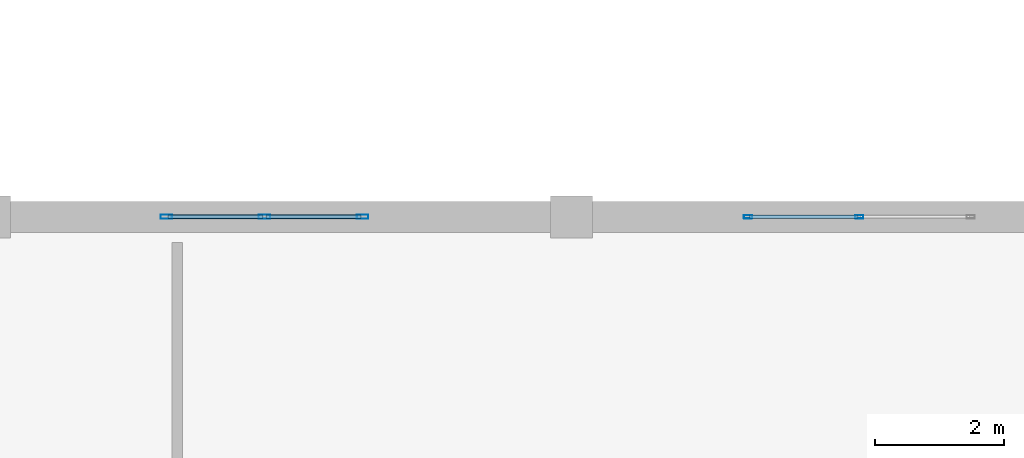
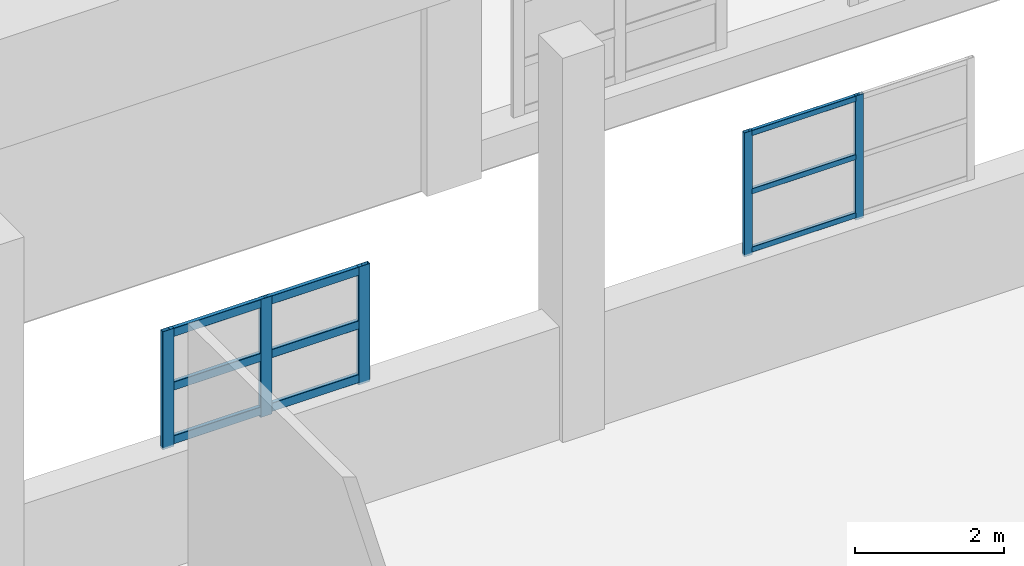
# One storey, part 22 of 197: 14 members, 2 elements without a shape of their own.
"""IFC4 building model written with IfcOpenShell, lengths in metres."""

from ifc_helpers import new_model, si_unit, derived_unit, direction, frame, origin, origin_2d, place, context, subcontext, project, spatial, hollow_rectangle, extrude, material, layer, layer_set, material_profile, profile_set, type_object, element, aggregate, save


model = new_model("IFC4")

# Units and contexts
model_context = context("Model", 3, precision=1e-05, world=origin(), true_north=direction((0.0, 1.0)))
body_context = subcontext(model_context, "Body", "Model", "MODEL_VIEW")
ifc_project = project(units=[si_unit("LENGTHUNIT", "METRE"), si_unit("AREAUNIT", "SQUARE_METRE"), si_unit("VOLUMEUNIT", "CUBIC_METRE"), si_unit("PLANEANGLEUNIT", "RADIAN"), si_unit("MASSUNIT", "GRAM", prefix="KILO"), derived_unit("THERMALTRANSMITTANCEUNIT", [(si_unit("POWERUNIT", "WATT"), 1), (si_unit("LENGTHUNIT", "METRE"), -2), (si_unit("THERMODYNAMICTEMPERATUREUNIT", "KELVIN"), -1)])], contexts=[model_context])

# Site, building, storey
site_placement = place(None, origin())
site = spatial("IfcSite", under=ifc_project, at=site_placement, CompositionType="ELEMENT")
building_placement = place(site_placement, origin())
building = spatial("IfcBuilding", under=site, at=building_placement, Name="Almenara Railside Exhibition Hall", CompositionType="ELEMENT")
storey_placement = place(building_placement, frame((0.0, 0.0, 5.39990234375)))
storey = spatial("IfcBuildingStorey", under=building, at=storey_placement, Name="L01", CompositionType="ELEMENT", Elevation=5.39990234375)

# Curtain wall, members
ifc_material_1 = material(Name="Bronze-anodised aluminium and low-E double glazing", Category="aluminium")
ifc_layer_1 = layer(ifc_material_1, 0.179931640625, Name="Bronze-anodised aluminium and low-E double glazing")
ifc_layer_set_1 = layer_set([ifc_layer_1], Name="Bronze-anodised aluminium and low-E double glazing")
curtain_wall_type_1 = type_object("IfcCurtainWallType", Name="Plenary Clerestory Curtain Wall 3500x2000", PredefinedType="NOTDEFINED", material=ifc_layer_set_1)
curtain_wall_1_placement = place(storey_placement, origin())
curtain_wall_1 = element("IfcCurtainWall", 1, at=curtain_wall_1_placement, inside=storey, type_object=curtain_wall_type_1, Name="Curtain wall CW-CL5-098", PredefinedType="NOTDEFINED")
ifc_material_2 = material(Name="Bronze-anodised aluminium", Category="aluminium")
ifc_material_profile_1 = material_profile(ifc_material_2, hollow_rectangle(XDim=0.054931640625, YDim=0.125, WallThickness=0.0029296875, InnerFilletRadius=0.0029296875, OuterFilletRadius=0.006103515625, at=origin_2d()), Name="ALU-MUL 55x125x3")
ifc_profile_set_1 = profile_set([ifc_material_profile_1], Name="Bronze-anodised aluminium")
member_type_1 = type_object("IfcMemberType", Name="Curtain Wall Mullion 55x125x3", PredefinedType="MULLION", material=ifc_profile_set_1)
member_1_placement = place(storey_placement, frame((23.7275390625, 42.0, 1.815185546875), z_axis=(0.0, 0.0, 1.0), x_axis=(0.0, 1.0, 0.0)))
member_1 = element("IfcMember", 2, at=member_1_placement, type_object=member_type_1, Name="CW-CL5-098 mullion 1", PredefinedType="MULLION", context=body_context, shape_type="SweptSolid", body=[
    extrude(hollow_rectangle(XDim=0.054931640625, YDim=0.125, WallThickness=0.0029296875, InnerFilletRadius=0.0029296875, OuterFilletRadius=0.006103515625, at=origin_2d()), origin(), (0.0, 0.0, 1.0), 2.034912109375),
])
member_2_placement = place(storey_placement, frame((25.449951171875, 42.0, 1.815185546875), z_axis=(0.0, 0.0, 1.0), x_axis=(0.0, 1.0, 0.0)))
member_2 = element("IfcMember", 3, at=member_2_placement, type_object=member_type_1, Name="CW-CL5-098 mullion 2", PredefinedType="MULLION", context=body_context, shape_type="SweptSolid", body=[
    extrude(hollow_rectangle(XDim=0.054931640625, YDim=0.125, WallThickness=0.0029296875, InnerFilletRadius=0.0029296875, OuterFilletRadius=0.006103515625, at=origin_2d()), origin(), (0.0, 0.0, 1.0), 2.034912109375),
])

ifc_layer_2 = layer(ifc_material_1, 0.179931640625, Name="Bronze-anodised aluminium and low-E double glazing")
ifc_layer_set_2 = layer_set([ifc_layer_2], Name="Bronze-anodised aluminium and low-E double glazing")
curtain_wall_type_2 = type_object("IfcCurtainWallType", Name="Plenary Clerestory Curtain Wall 3100x1900", PredefinedType="NOTDEFINED", material=ifc_layer_set_2)
curtain_wall_2_placement = place(storey_placement, origin())
curtain_wall_2 = element("IfcCurtainWall", 4, at=curtain_wall_2_placement, inside=storey, type_object=curtain_wall_type_2, Name="Curtain wall CW-CL6-096", PredefinedType="NOTDEFINED")
ifc_material_profile_2 = material_profile(ifc_material_2, hollow_rectangle(XDim=0.06494140625, YDim=0.179931640625, WallThickness=0.00390625, InnerFilletRadius=0.00390625, OuterFilletRadius=0.008056640625, at=origin_2d()), Name="ALU-MUL 65x180x4")
ifc_profile_set_2 = profile_set([ifc_material_profile_2], Name="Bronze-anodised aluminium")
member_type_2 = type_object("IfcMemberType", Name="Curtain Wall Mullion 65x180x4", PredefinedType="MULLION", material=ifc_profile_set_2)
member_3_placement = place(storey_placement, frame((14.732421875, 42.0, 1.815185546875), z_axis=(0.0, 0.0, 1.0), x_axis=(0.0, 1.0, 0.0)))
member_3 = element("IfcMember", 5, at=member_3_placement, type_object=member_type_2, Name="CW-CL6-096 mullion 1", PredefinedType="MULLION", context=body_context, shape_type="SweptSolid", body=[
    extrude(hollow_rectangle(XDim=0.06494140625, YDim=0.179931640625, WallThickness=0.00390625, InnerFilletRadius=0.00390625, OuterFilletRadius=0.008056640625, at=origin_2d()), origin(), (0.0, 0.0, 1.0), 1.934814453125),
])
member_4_placement = place(storey_placement, frame((16.25, 42.0, 1.815185546875), z_axis=(0.0, 0.0, 1.0), x_axis=(0.0, 1.0, 0.0)))
member_4 = element("IfcMember", 6, at=member_4_placement, type_object=member_type_2, Name="CW-CL6-096 mullion 2", PredefinedType="MULLION", context=body_context, shape_type="SweptSolid", body=[
    extrude(hollow_rectangle(XDim=0.06494140625, YDim=0.179931640625, WallThickness=0.00390625, InnerFilletRadius=0.00390625, OuterFilletRadius=0.008056640625, at=origin_2d()), origin(), (0.0, 0.0, 1.0), 1.934814453125),
])
member_5_placement = place(storey_placement, frame((17.767578125, 42.0, 1.815185546875), z_axis=(0.0, 0.0, 1.0), x_axis=(0.0, 1.0, 0.0)))
member_5 = element("IfcMember", 7, at=member_5_placement, type_object=member_type_2, Name="CW-CL6-096 mullion 3", PredefinedType="MULLION", context=body_context, shape_type="SweptSolid", body=[
    extrude(hollow_rectangle(XDim=0.06494140625, YDim=0.179931640625, WallThickness=0.00390625, InnerFilletRadius=0.00390625, OuterFilletRadius=0.008056640625, at=origin_2d()), origin(), (0.0, 0.0, 1.0), 1.934814453125),
])

# Member
ifc_material_profile_3 = material_profile(ifc_material_2, hollow_rectangle(XDim=0.054931640625, YDim=0.090087890625, WallThickness=0.0029296875, InnerFilletRadius=0.0029296875, OuterFilletRadius=0.006103515625, at=origin_2d()), Name="ALU-TRN 55x90x3")
ifc_profile_set_3 = profile_set([ifc_material_profile_3], Name="Bronze-anodised aluminium")
member_type_3 = type_object("IfcMemberType", Name="Curtain Wall Transom 55x90x3", PredefinedType="USERDEFINED", material=ifc_profile_set_3)
member_6_placement = place(storey_placement, frame((23.7470703125, 42.0, 1.89501953125), z_axis=(1.0, 0.0, 0.0), x_axis=(0.0, 1.0, 0.0)))
member_6 = element("IfcMember", 8, at=member_6_placement, type_object=member_type_3, Name="CW-CL5-098 transom 1.1", ObjectType="TRANSOM", PredefinedType="USERDEFINED", context=body_context, shape_type="SweptSolid", body=[
    extrude(hollow_rectangle(XDim=0.054931640625, YDim=0.090087890625, WallThickness=0.0029296875, InnerFilletRadius=0.0029296875, OuterFilletRadius=0.006103515625, at=origin_2d()), origin(), (0.0, 0.0, 1.0), 1.683349609375),
])

member_7_placement = place(storey_placement, frame((23.7470703125, 42.0, 2.85009765625), z_axis=(1.0, 0.0, 0.0), x_axis=(0.0, 1.0, 0.0)))
member_7 = element("IfcMember", 9, at=member_7_placement, type_object=member_type_3, Name="CW-CL5-098 transom 1.2", ObjectType="TRANSOM", PredefinedType="USERDEFINED", context=body_context, shape_type="SweptSolid", body=[
    extrude(hollow_rectangle(XDim=0.054931640625, YDim=0.090087890625, WallThickness=0.0029296875, InnerFilletRadius=0.0029296875, OuterFilletRadius=0.006103515625, at=origin_2d()), origin(), (0.0, 0.0, 1.0), 1.683349609375),
])

member_8_placement = place(storey_placement, frame((23.7470703125, 42.0, 3.80517578125), z_axis=(1.0, 0.0, 0.0), x_axis=(0.0, 1.0, 0.0)))
member_8 = element("IfcMember", 10, at=member_8_placement, type_object=member_type_3, Name="CW-CL5-098 transom 1.3", ObjectType="TRANSOM", PredefinedType="USERDEFINED", context=body_context, shape_type="SweptSolid", body=[
    extrude(hollow_rectangle(XDim=0.054931640625, YDim=0.090087890625, WallThickness=0.0029296875, InnerFilletRadius=0.0029296875, OuterFilletRadius=0.006103515625, at=origin_2d()), origin(), (0.0, 0.0, 1.0), 1.683349609375),
])

aggregate(curtain_wall_1, [member_1, member_2, member_6, member_7, member_8])

ifc_material_profile_4 = material_profile(ifc_material_2, hollow_rectangle(XDim=0.06494140625, YDim=0.139892578125, WallThickness=0.00341796875, InnerFilletRadius=0.00341796875, OuterFilletRadius=0.007080078125, at=origin_2d()), Name="ALU-TRN 65x140x3.5")
ifc_profile_set_4 = profile_set([ifc_material_profile_4], Name="Bronze-anodised aluminium")
member_type_4 = type_object("IfcMemberType", Name="Curtain Wall Transom 65x140x3.5", PredefinedType="USERDEFINED", material=ifc_profile_set_4)
member_9_placement = place(storey_placement, frame((14.757080078125, 42.0, 1.920166015625), z_axis=(1.0, 0.0, 0.0), x_axis=(0.0, 1.0, 0.0)))
member_9 = element("IfcMember", 11, at=member_9_placement, type_object=member_type_4, Name="CW-CL6-096 transom 1.1", ObjectType="TRANSOM", PredefinedType="USERDEFINED", context=body_context, shape_type="SweptSolid", body=[
    extrude(hollow_rectangle(XDim=0.06494140625, YDim=0.139892578125, WallThickness=0.00341796875, InnerFilletRadius=0.00341796875, OuterFilletRadius=0.007080078125, at=origin_2d()), origin(), (0.0, 0.0, 1.0), 1.468505859375),
])

member_10_placement = place(storey_placement, frame((14.757080078125, 42.0, 2.800048828125), z_axis=(1.0, 0.0, 0.0), x_axis=(0.0, 1.0, 0.0)))
member_10 = element("IfcMember", 12, at=member_10_placement, type_object=member_type_4, Name="CW-CL6-096 transom 1.2", ObjectType="TRANSOM", PredefinedType="USERDEFINED", context=body_context, shape_type="SweptSolid", body=[
    extrude(hollow_rectangle(XDim=0.06494140625, YDim=0.139892578125, WallThickness=0.00341796875, InnerFilletRadius=0.00341796875, OuterFilletRadius=0.007080078125, at=origin_2d()), origin(), (0.0, 0.0, 1.0), 1.468505859375),
])

member_11_placement = place(storey_placement, frame((14.757080078125, 42.0, 3.68017578125), z_axis=(1.0, 0.0, 0.0), x_axis=(0.0, 1.0, 0.0)))
member_11 = element("IfcMember", 13, at=member_11_placement, type_object=member_type_4, Name="CW-CL6-096 transom 1.3", ObjectType="TRANSOM", PredefinedType="USERDEFINED", context=body_context, shape_type="SweptSolid", body=[
    extrude(hollow_rectangle(XDim=0.06494140625, YDim=0.139892578125, WallThickness=0.00341796875, InnerFilletRadius=0.00341796875, OuterFilletRadius=0.007080078125, at=origin_2d()), origin(), (0.0, 0.0, 1.0), 1.468505859375),
])

member_12_placement = place(storey_placement, frame((16.2744140625, 42.0, 1.920166015625), z_axis=(1.0, 0.0, 0.0), x_axis=(0.0, 1.0, 0.0)))
member_12 = element("IfcMember", 14, at=member_12_placement, type_object=member_type_4, Name="CW-CL6-096 transom 2.1", ObjectType="TRANSOM", PredefinedType="USERDEFINED", context=body_context, shape_type="SweptSolid", body=[
    extrude(hollow_rectangle(XDim=0.06494140625, YDim=0.139892578125, WallThickness=0.00341796875, InnerFilletRadius=0.00341796875, OuterFilletRadius=0.007080078125, at=origin_2d()), origin(), (0.0, 0.0, 1.0), 1.468505859375),
])

member_13_placement = place(storey_placement, frame((16.2744140625, 42.0, 2.800048828125), z_axis=(1.0, 0.0, 0.0), x_axis=(0.0, 1.0, 0.0)))
member_13 = element("IfcMember", 15, at=member_13_placement, type_object=member_type_4, Name="CW-CL6-096 transom 2.2", ObjectType="TRANSOM", PredefinedType="USERDEFINED", context=body_context, shape_type="SweptSolid", body=[
    extrude(hollow_rectangle(XDim=0.06494140625, YDim=0.139892578125, WallThickness=0.00341796875, InnerFilletRadius=0.00341796875, OuterFilletRadius=0.007080078125, at=origin_2d()), origin(), (0.0, 0.0, 1.0), 1.468505859375),
])

member_14_placement = place(storey_placement, frame((16.2744140625, 42.0, 3.68017578125), z_axis=(1.0, 0.0, 0.0), x_axis=(0.0, 1.0, 0.0)))
member_14 = element("IfcMember", 16, at=member_14_placement, type_object=member_type_4, Name="CW-CL6-096 transom 2.3", ObjectType="TRANSOM", PredefinedType="USERDEFINED", context=body_context, shape_type="SweptSolid", body=[
    extrude(hollow_rectangle(XDim=0.06494140625, YDim=0.139892578125, WallThickness=0.00341796875, InnerFilletRadius=0.00341796875, OuterFilletRadius=0.007080078125, at=origin_2d()), origin(), (0.0, 0.0, 1.0), 1.468505859375),
])

aggregate(curtain_wall_2, [member_3, member_4, member_5, member_9, member_10, member_11, member_12, member_13, member_14])

save(model, "model.ifc")
